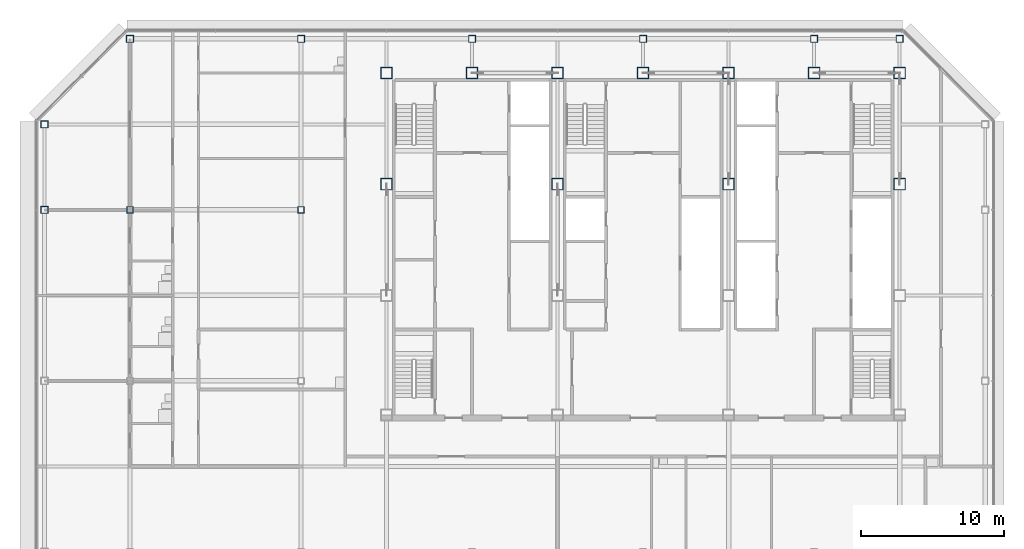
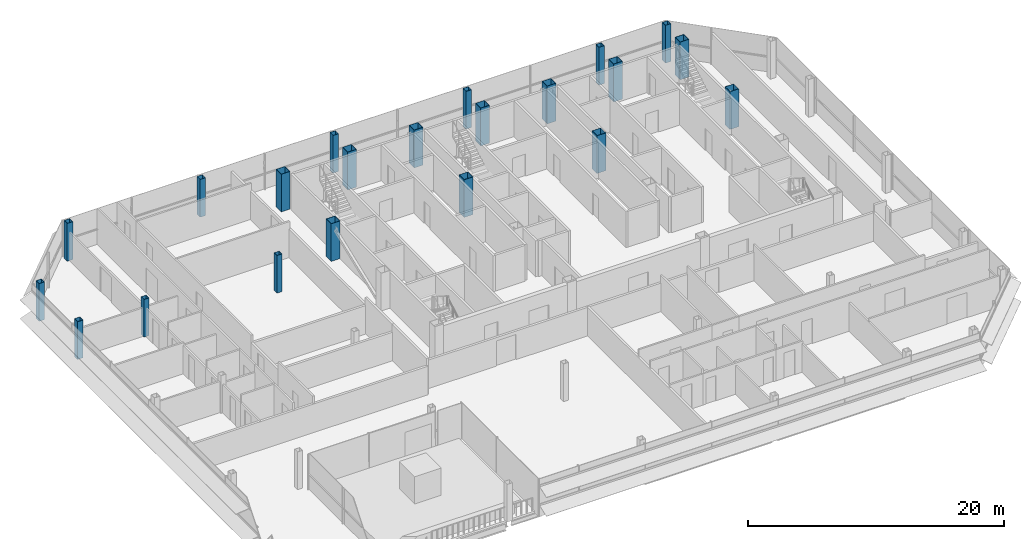
# One storey, part 2 of 31: 21 columns.
"""IFC4 building model written with IfcOpenShell, lengths in metres."""

from ifc_helpers import new_model, si_unit, direction, frame, origin, origin_2d, place, context, subcontext, project, spatial, hollow_rectangle, extrude, material, material_profile, profile_set, type_object, element, save


model = new_model("IFC4")

# Units and contexts
model_context = context("Model", 3, precision=1e-05, world=origin(), true_north=direction((0.0, 1.0)))
body_context = subcontext(model_context, "Body", "Model", "MODEL_VIEW")
ifc_project = project(units=[si_unit("LENGTHUNIT", "METRE"), si_unit("AREAUNIT", "SQUARE_METRE"), si_unit("VOLUMEUNIT", "CUBIC_METRE"), si_unit("PLANEANGLEUNIT", "RADIAN"), si_unit("MASSUNIT", "GRAM", prefix="KILO")], contexts=[model_context])

# Site, building, storey
site_placement = place(None, origin())
site = spatial("IfcSite", under=ifc_project, at=site_placement, CompositionType="ELEMENT")
building_placement = place(site_placement, origin())
building = spatial("IfcBuilding", under=site, at=building_placement, Name="Sorahane Residences", CompositionType="ELEMENT")
storey_placement = place(building_placement, frame((0.0, 0.0, 319.60009765625)))
storey = spatial("IfcBuildingStorey", under=building, at=storey_placement, Name="L76", CompositionType="ELEMENT", Elevation=319.60009765625)

# Columns
ifc_material_1 = material(Name="Steel Q355B", Category="steel")
ifc_material_profile_1 = material_profile(ifc_material_1, hollow_rectangle(XDim=0.449951171875, YDim=0.449951171875, WallThickness=0.02197265625, at=origin_2d()), Name="BOX 450x450x22")
ifc_profile_set_1 = profile_set([ifc_material_profile_1], Name="Steel Q355B")
column_type_1 = type_object("IfcColumnType", Name="Steel box column BOX 450x450x22 Q355B", PredefinedType="COLUMN", material=ifc_profile_set_1)
for number, where, z_axis, x_axis, name in (
    (1, (-12.0, 36.0, 0.0), (0.0, 0.0, 1.0), (1.0, 0.0, 0.0), "Column L76 m12/36"),
    (2, (0.0, 36.0, 0.0), (0.0, 0.0, 1.0), (1.0, 0.0, 0.0), "Column L76 0/36"),
):
    element("IfcColumn", number, at=place(storey_placement, frame(where, z_axis=z_axis, x_axis=x_axis)), inside=storey, type_object=column_type_1, Name=name, PredefinedType="COLUMN", context=body_context, shape_type="SweptSolid", body=[
        extrude(hollow_rectangle(XDim=0.449951171875, YDim=0.449951171875, WallThickness=0.02197265625, at=origin_2d()), origin(), (0.0, 0.0, 1.0), 3.599853515625),
    ])
ifc_material_2 = material(Name="Steel Q355B", Category="steel")
ifc_material_profile_2 = material_profile(ifc_material_2, hollow_rectangle(XDim=0.5, YDim=0.5, WallThickness=0.02490234375, at=origin_2d()), Name="BOX 500x500x25")
ifc_profile_set_2 = profile_set([ifc_material_profile_2], Name="Steel Q355B")
column_type_2 = type_object("IfcColumnType", Name="Steel box column BOX 500x500x25 Q355B", PredefinedType="COLUMN", material=ifc_profile_set_2)
for number, where, z_axis, x_axis, name in (
    (3, (-18.0, 36.0, 0.0), (0.0, 0.0, 1.0), (1.0, 0.0, 0.0), "Column L76 m18/36"),
    (4, (-18.0, 42.0, 0.0), (0.0, 0.0, 1.0), (1.0, 0.0, 0.0), "Column L76 m18/42"),
    (5, (-12.0, 48.0, 0.0), (0.0, 0.0, 1.0), (1.0, 0.0, 0.0), "Column L76 m12/48"),
    (6, (0.0, 48.0, 0.0), (0.0, 0.0, 1.0), (1.0, 0.0, 0.0), "Column L76 0/48"),
    (7, (12.0, 48.0, 0.0), (0.0, 0.0, 1.0), (1.0, 0.0, 0.0), "Column L76 12/48"),
    (8, (24.0, 48.0, 0.0), (0.0, 0.0, 1.0), (1.0, 0.0, 0.0), "Column L76 24/48"),
    (9, (36.0, 48.0, 0.0), (0.0, 0.0, 1.0), (1.0, 0.0, 0.0), "Column L76 36/48"),
    (10, (42.0, 48.0, 0.0), (0.0, 0.0, 1.0), (1.0, 0.0, 0.0), "Column L76 42/48"),
):
    element("IfcColumn", number, at=place(storey_placement, frame(where, z_axis=z_axis, x_axis=x_axis)), inside=storey, type_object=column_type_2, Name=name, PredefinedType="COLUMN", context=body_context, shape_type="SweptSolid", body=[
        extrude(hollow_rectangle(XDim=0.5, YDim=0.5, WallThickness=0.02490234375, at=origin_2d()), origin(), (0.0, 0.0, 1.0), 3.599853515625),
    ])
ifc_material_3 = material(Name="Steel Q355B", Category="steel")
ifc_material_profile_3 = material_profile(ifc_material_3, hollow_rectangle(XDim=0.800048828125, YDim=0.800048828125, WallThickness=0.02490234375, at=origin_2d()), Name="BOX 800x800x25")
ifc_profile_set_3 = profile_set([ifc_material_profile_3], Name="Steel Q355B")
column_type_3 = type_object("IfcColumnType", Name="Steel box column BOX 800x800x25 Q355B", PredefinedType="COLUMN", material=ifc_profile_set_3)
for number, where, z_axis, x_axis, name in (
    (11, (6.0, 37.800048828125, 0.0), (0.0, 0.0, 1.0), (1.0, 0.0, 0.0), "Column L76 6/37.8"),
    (12, (6.0, 45.60009765625, 0.0), (0.0, 0.0, 1.0), (1.0, 0.0, 0.0), "Column L76 6/45.6"),
    (13, (12.0, 45.60009765625, 0.0), (0.0, 0.0, 1.0), (1.0, 0.0, 0.0), "Column L76 12/45.6"),
    (14, (18.0, 37.800048828125, 0.0), (0.0, 0.0, 1.0), (1.0, 0.0, 0.0), "Column L76 18/37.8"),
    (15, (18.0, 45.60009765625, 0.0), (0.0, 0.0, 1.0), (1.0, 0.0, 0.0), "Column L76 18/45.6"),
    (16, (24.0, 45.60009765625, 0.0), (0.0, 0.0, 1.0), (1.0, 0.0, 0.0), "Column L76 24/45.6"),
    (17, (30.0, 37.800048828125, 0.0), (0.0, 0.0, 1.0), (1.0, 0.0, 0.0), "Column L76 30/37.8"),
    (18, (30.0, 45.60009765625, 0.0), (0.0, 0.0, 1.0), (1.0, 0.0, 0.0), "Column L76 30/45.6"),
    (19, (36.0, 45.60009765625, 0.0), (0.0, 0.0, 1.0), (1.0, 0.0, 0.0), "Column L76 36/45.6"),
    (20, (42.0, 37.800048828125, 0.0), (0.0, 0.0, 1.0), (1.0, 0.0, 0.0), "Column L76 42/37.8"),
    (21, (42.0, 45.60009765625, 0.0), (0.0, 0.0, 1.0), (1.0, 0.0, 0.0), "Column L76 42/45.6"),
):
    element("IfcColumn", number, at=place(storey_placement, frame(where, z_axis=z_axis, x_axis=x_axis)), inside=storey, type_object=column_type_3, Name=name, PredefinedType="COLUMN", context=body_context, shape_type="SweptSolid", body=[
        extrude(hollow_rectangle(XDim=0.800048828125, YDim=0.800048828125, WallThickness=0.02490234375, at=origin_2d()), origin(), (0.0, 0.0, 1.0), 3.599853515625),
    ])

save(model, "model.ifc")
